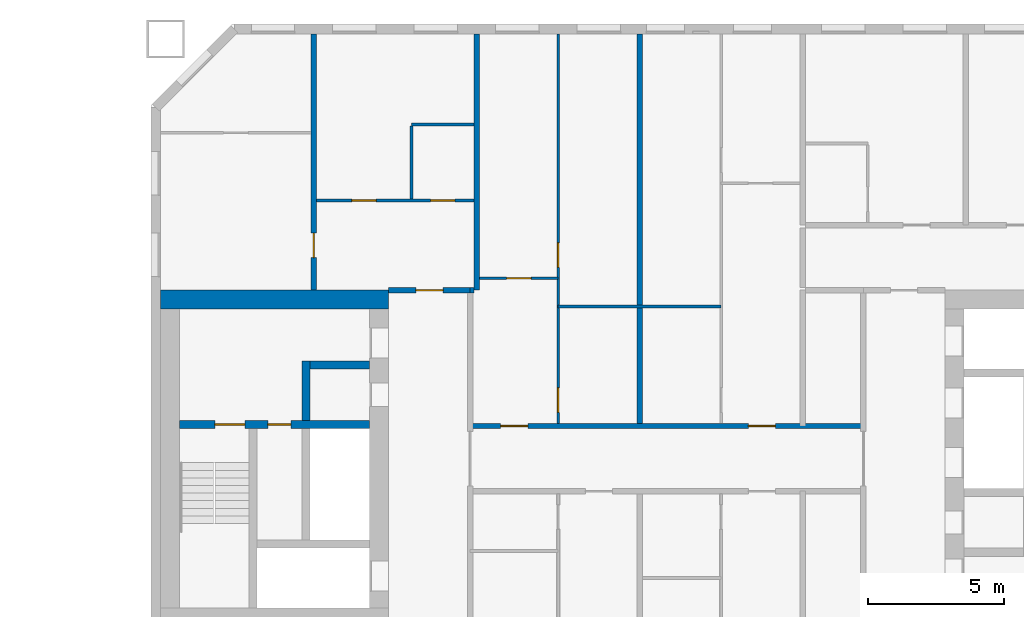
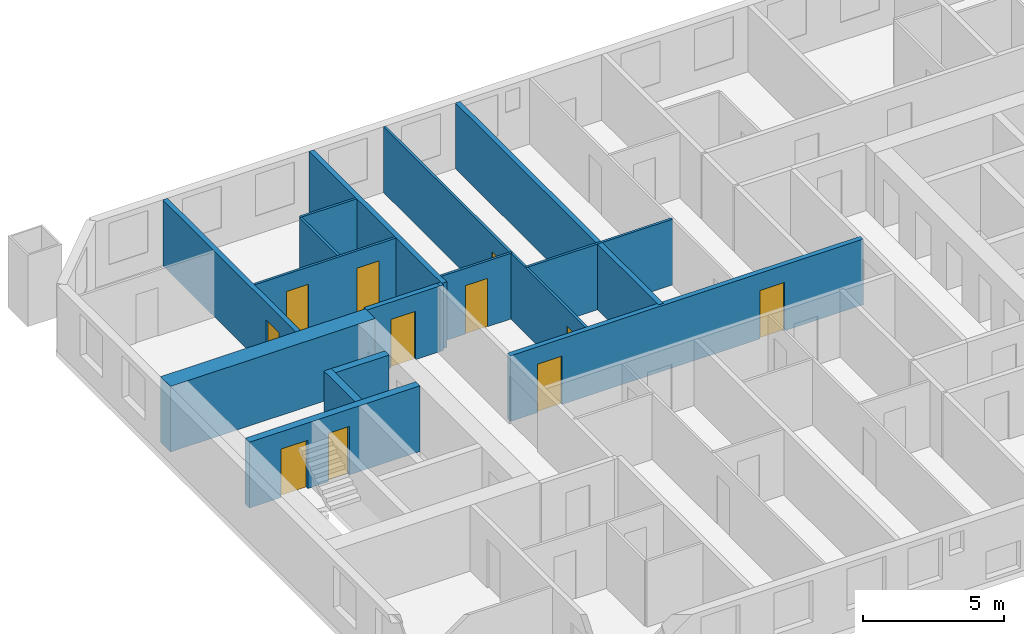
# One storey, part 10 of 16: 16 walls, 11 doors, 11 openings.
"""IFC4 building model written with IfcOpenShell, lengths in metres."""

from ifc_helpers import new_model, si_unit, direction, frame, frame_2d, origin, place, context, subcontext, project, spatial, rectangle, extrude, material, layer, layer_set, type_object, element, fill, save


model = new_model("IFC4")

# Units and contexts
model_context = context("Model", 3, precision=1e-05, world=origin(), true_north=direction((0.0, 1.0)))
body_context = subcontext(model_context, "Body", "Model", "MODEL_VIEW")
ifc_project = project(units=[si_unit("LENGTHUNIT", "METRE"), si_unit("AREAUNIT", "SQUARE_METRE"), si_unit("VOLUMEUNIT", "CUBIC_METRE"), si_unit("PLANEANGLEUNIT", "RADIAN"), si_unit("MASSUNIT", "GRAM", prefix="KILO")], contexts=[model_context])

# Site, building, storey
site_placement = place(None, origin())
site = spatial("IfcSite", under=ifc_project, at=site_placement, CompositionType="ELEMENT")
building_placement = place(site_placement, origin())
building = spatial("IfcBuilding", under=site, at=building_placement, Name="Tuart Gate Housing", CompositionType="ELEMENT")
storey_placement = place(building_placement, frame((0.0, 0.0, 87.10009765625)))
storey = spatial("IfcBuildingStorey", under=building, at=storey_placement, Name="L24", CompositionType="ELEMENT", Elevation=87.10009765625)

# Wall, openings, doors
ifc_material_1 = material(Name="Concrete C50", Category="concrete")
ifc_layer_1 = layer(ifc_material_1, 0.300048828125)
ifc_layer_set_1 = layer_set([ifc_layer_1], Name="Core wall 300 C50")
wall_type_1 = type_object("IfcWallType", Name="Core wall 300 C50", PredefinedType="SHEAR", material=ifc_layer_set_1)
wall_1_placement = place(storey_placement, frame((139.06005859375, 71.25, 0.0), z_axis=(0.0, 0.0, 1.0), x_axis=(-1.0, 0.0, 0.0)))
wall_1 = element("IfcWall", 1, at=wall_1_placement, inside=storey, type_object=wall_type_1, Name="Core wall BG.2", PredefinedType="SHEAR", context=body_context, shape_type="SweptSolid", body=[
    extrude(rectangle(XDim=7.0, YDim=0.300048828125, at=frame_2d((3.5, 0.0))), origin(), (0.0, 0.0, 1.0), 2.849853515625),
])
opening_1_placement = place(wall_1_placement, frame((4.60009765625, 0.0, 0.0)))
opening_1 = element("IfcOpeningElement", 2, at=opening_1_placement, cuts=wall_1, Name="Opening D1032", PredefinedType="OPENING", context=body_context, shape_type="SweptSolid", body=[
    extrude(rectangle(XDim=1.10009765625, YDim=2.10009765625, at=frame_2d((0.550048828125, 1.050048828125))), frame((0.0, 0.159912109375, 0.0), z_axis=(0.0, -1.0, 0.0), x_axis=(1.0, 0.0, 0.0)), (0.0, 0.0, 1.0), 0.320068359375),
])
opening_2_placement = place(wall_1_placement, frame((2.89990234375, 0.0, 0.0)))
opening_2 = element("IfcOpeningElement", 3, at=opening_2_placement, cuts=wall_1, Name="Opening D1031", PredefinedType="OPENING", context=body_context, shape_type="SweptSolid", body=[
    extrude(rectangle(XDim=0.85009765625, YDim=2.10009765625, at=frame_2d((0.425048828125, 1.050048828125))), frame((0.0, 0.159912109375, 0.0), z_axis=(0.0, -1.0, 0.0), x_axis=(1.0, 0.0, 0.0)), (0.0, 0.0, 1.0), 0.320068359375),
])
ifc_material_2 = material(Name="Steel fire door", Category="steel")
door_type_1 = type_object("IfcDoorType", Name="Riser door 850 x 2100", OperationType="SINGLE_SWING_LEFT", PredefinedType="DOOR", material=ifc_material_2)
door_1_placement = place(opening_2_placement, origin())
door_1 = element("IfcDoor", 4, at=door_1_placement, inside=storey, type_object=door_type_1, Name="Service room door BG.W1", OperationType="SINGLE_SWING_LEFT", OverallHeight=2.10009765625, OverallWidth=0.85009765625, PredefinedType="DOOR", context=body_context, shape_type="SweptSolid", body=[
    extrude(rectangle(XDim=0.85009765625, YDim=2.10009765625, at=frame_2d((0.425048828125, 1.050048828125))), frame((0.0, 0.02490234375, 0.0), z_axis=(0.0, -1.0, 0.0), x_axis=(1.0, 0.0, 0.0)), (0.0, 0.0, 1.0), 0.050048828125),
])
fill(opening_2, door_1)
ifc_material_3 = material(Name="Steel fire door", Category="steel")
door_type_2 = type_object("IfcDoorType", Name="Stair door 1100 x 2100", OperationType="SINGLE_SWING_LEFT", PredefinedType="DOOR", material=ifc_material_3)
door_2_placement = place(opening_1_placement, origin())
door_2 = element("IfcDoor", 5, at=door_2_placement, inside=storey, type_object=door_type_2, Name="Stair door BG.SD", OperationType="SINGLE_SWING_LEFT", OverallHeight=2.10009765625, OverallWidth=1.10009765625, PredefinedType="DOOR", context=body_context, shape_type="SweptSolid", body=[
    extrude(rectangle(XDim=1.10009765625, YDim=2.10009765625, at=frame_2d((0.550048828125, 1.050048828125))), frame((0.0, 0.02490234375, 0.0), z_axis=(0.0, -1.0, 0.0), x_axis=(1.0, 0.0, 0.0)), (0.0, 0.0, 1.0), 0.050048828125),
])
fill(opening_1, door_2)

# Walls
wall_2_placement = place(storey_placement, frame((139.06005859375, 73.449951171875, 0.0), z_axis=(0.0, 0.0, 1.0), x_axis=(-1.0, 0.0, 0.0)))
element("IfcWall", 6, at=wall_2_placement, inside=storey, type_object=wall_type_1, Name="Core wall BG.3", PredefinedType="SHEAR", context=body_context, shape_type="SweptSolid", body=[
    extrude(rectangle(XDim=2.199951171875, YDim=0.300048828125, at=frame_2d((1.10009765625, 0.0))), origin(), (0.0, 0.0, 1.0), 2.849853515625),
])
wall_3_placement = place(storey_placement, frame((136.7099609375, 71.39990234375, 0.0), z_axis=(0.0, 0.0, 1.0), x_axis=(0.0, 1.0, 0.0)))
element("IfcWall", 7, at=wall_3_placement, inside=storey, type_object=wall_type_1, Name="Core wall BG.5", PredefinedType="SHEAR", context=body_context, shape_type="SweptSolid", body=[
    extrude(rectangle(XDim=2.2001953125, YDim=0.300048828125, at=frame_2d((1.10009765625, 0.0))), origin(), (0.0, 0.0, 1.0), 2.849853515625),
])
ifc_material_4 = material(Name="Concrete C50", Category="concrete")
ifc_layer_2 = layer(ifc_material_4, 0.699951171875)
ifc_layer_set_2 = layer_set([ifc_layer_2], Name="Core wall 700 C50")
wall_type_2 = type_object("IfcWallType", Name="Core wall 700 C50", PredefinedType="SHEAR", material=ifc_layer_set_2)
wall_4_placement = place(storey_placement, frame((139.760009765625, 75.85009765625, 0.0), z_axis=(0.0, 0.0, 1.0), x_axis=(-1.0, 0.0, 0.0)))
element("IfcWall", 8, at=wall_4_placement, inside=storey, type_object=wall_type_2, Name="Core wall BG north", PredefinedType="SHEAR", context=body_context, shape_type="SweptSolid", body=[
    extrude(rectangle(XDim=8.39990234375, YDim=0.699951171875, at=frame_2d((4.199951171875, 0.0))), origin(), (0.0, 0.0, 1.0), 2.849853515625),
])

# Wall, openings, doors
ifc_material_5 = material(Name="Concrete masonry 15 MPa", Category="masonry")
ifc_layer_3 = layer(ifc_material_5, 0.199951171875)
ifc_layer_set_3 = layer_set([ifc_layer_3], Name="Corridor wall masonry 200")
wall_type_3 = type_object("IfcWallType", Name="Corridor wall masonry 200", PredefinedType="PARTITIONING", material=ifc_layer_set_3)
wall_5_placement = place(storey_placement, frame((142.760009765625, 71.199951171875, 0.0), z_axis=(0.0, 0.0, 1.0), x_axis=(1.0, 0.0, 0.0)))
wall_5 = element("IfcWall", 9, at=wall_5_placement, inside=storey, type_object=wall_type_3, Name="Corridor wall masonry 200", PredefinedType="PARTITIONING", context=body_context, shape_type="SweptSolid", body=[
    extrude(rectangle(XDim=14.47998046875, YDim=0.199951171875, at=frame_2d((7.239990234375, 0.0))), origin(), (0.0, 0.0, 1.0), 2.849853515625),
])
opening_3_placement = place(wall_5_placement, frame((1.1201171875, 0.0, 0.0)))
opening_3 = element("IfcOpeningElement", 10, at=opening_3_placement, cuts=wall_5, Name="Opening D1033", PredefinedType="OPENING", context=body_context, shape_type="SweptSolid", body=[
    extrude(rectangle(XDim=1.0, YDim=2.10009765625, at=frame_2d((0.5, 1.050048828125))), frame((0.0, 0.10986328125, 0.0), z_axis=(0.0, -1.0, 0.0), x_axis=(1.0, 0.0, 0.0)), (0.0, 0.0, 1.0), 0.219970703125),
])
opening_4_placement = place(wall_5_placement, frame((10.239990234375, 0.0, 0.0)))
opening_4 = element("IfcOpeningElement", 11, at=opening_4_placement, cuts=wall_5, Name="Opening D1034", PredefinedType="OPENING", context=body_context, shape_type="SweptSolid", body=[
    extrude(rectangle(XDim=1.0, YDim=2.10009765625, at=frame_2d((0.5, 1.050048828125))), frame((0.0, 0.10986328125, 0.0), z_axis=(0.0, -1.0, 0.0), x_axis=(1.0, 0.0, 0.0)), (0.0, 0.0, 1.0), 0.219970703125),
])
ifc_material_6 = material(Name="Timber door leaf in steel frame", Category="steel")
door_type_3 = type_object("IfcDoorType", Name="Flat entrance door 1000", OperationType="SINGLE_SWING_LEFT", PredefinedType="DOOR", material=ifc_material_6)
door_3_placement = place(opening_3_placement, origin())
door_3 = element("IfcDoor", 12, at=door_3_placement, inside=storey, type_object=door_type_3, Name="Flat entrance door", OperationType="SINGLE_SWING_LEFT", OverallHeight=2.10009765625, OverallWidth=1.0, PredefinedType="DOOR", context=body_context, shape_type="SweptSolid", body=[
    extrude(rectangle(XDim=1.0, YDim=2.10009765625, at=frame_2d((0.5, 1.050048828125))), frame((0.0, 0.02490234375, 0.0), z_axis=(0.0, -1.0, 0.0), x_axis=(1.0, 0.0, 0.0)), (0.0, 0.0, 1.0), 0.050048828125),
])
fill(opening_3, door_3)
door_4_placement = place(opening_4_placement, origin())
door_4 = element("IfcDoor", 13, at=door_4_placement, inside=storey, type_object=door_type_3, Name="Flat entrance door", OperationType="SINGLE_SWING_LEFT", OverallHeight=2.10009765625, OverallWidth=1.0, PredefinedType="DOOR", context=body_context, shape_type="SweptSolid", body=[
    extrude(rectangle(XDim=1.0, YDim=2.10009765625, at=frame_2d((0.5, 1.050048828125))), frame((0.0, 0.02490234375, 0.0), z_axis=(0.0, -1.0, 0.0), x_axis=(1.0, 0.0, 0.0)), (0.0, 0.0, 1.0), 0.050048828125),
])
fill(opening_4, door_4)

# Wall, opening, door
ifc_material_7 = material(Name="Concrete masonry 15 MPa", Category="masonry")
ifc_layer_4 = layer(ifc_material_7, 0.199951171875)
ifc_layer_set_4 = layer_set([ifc_layer_4], Name="Enclosure wall masonry 200")
wall_type_4 = type_object("IfcWallType", Name="Enclosure wall masonry 200", PredefinedType="PARTITIONING", material=ifc_layer_set_4)
wall_6_placement = place(storey_placement, frame((139.760009765625, 76.199951171875, 0.0), z_axis=(0.0, 0.0, 1.0), x_axis=(1.0, 0.0, 0.0)))
wall_6 = element("IfcWall", 14, at=wall_6_placement, inside=storey, type_object=wall_type_4, Name="Enclosure wall masonry 200", PredefinedType="PARTITIONING", context=body_context, shape_type="SweptSolid", body=[
    extrude(rectangle(XDim=3.0, YDim=0.199951171875, at=frame_2d((1.5, 0.0))), origin(), (0.0, 0.0, 1.0), 2.849853515625),
])
opening_5_placement = place(wall_6_placement, frame((1.0, 0.0, 0.0)))
opening_5 = element("IfcOpeningElement", 15, at=opening_5_placement, cuts=wall_6, Name="Opening D1029", PredefinedType="OPENING", context=body_context, shape_type="SweptSolid", body=[
    extrude(rectangle(XDim=1.0, YDim=2.10009765625, at=frame_2d((0.5, 1.050048828125))), frame((0.0, 0.10986328125, 0.0), z_axis=(0.0, -1.0, 0.0), x_axis=(1.0, 0.0, 0.0)), (0.0, 0.0, 1.0), 0.219970703125),
])
ifc_material_8 = material(Name="Timber door leaf in steel frame", Category="steel")
door_type_4 = type_object("IfcDoorType", Name="Flat entrance door 1000 RH", OperationType="SINGLE_SWING_RIGHT", PredefinedType="DOOR", material=ifc_material_8)
door_5_placement = place(opening_5_placement, origin())
door_5 = element("IfcDoor", 16, at=door_5_placement, inside=storey, type_object=door_type_4, Name="Flat entrance door", OperationType="SINGLE_SWING_RIGHT", OverallHeight=2.10009765625, OverallWidth=1.0, PredefinedType="DOOR", context=body_context, shape_type="SweptSolid", body=[
    extrude(rectangle(XDim=1.0, YDim=2.10009765625, at=frame_2d((0.5, 1.050048828125))), frame((0.0, 0.02490234375, 0.0), z_axis=(0.0, -1.0, 0.0), x_axis=(1.0, 0.0, 0.0)), (0.0, 0.0, 1.0), 0.050048828125),
])
fill(opening_5, door_5)

# Wall
ifc_material_9 = material(Name="Gypsum board on steel studs", Category="steel")
ifc_layer_5 = layer(ifc_material_9, 0.10009765625)
ifc_layer_set_5 = layer_set([ifc_layer_5], Name="Partition 100")
wall_type_5 = type_object("IfcWallType", Name="Partition 100", PredefinedType="PARTITIONING", material=ifc_layer_set_5)
wall_7_placement = place(storey_placement, frame((146.0, 75.60009765625, 0.0), z_axis=(0.0, 0.0, 1.0), x_axis=(1.0, 0.0, 0.0)))
element("IfcWall", 17, at=wall_7_placement, inside=storey, type_object=wall_type_5, Name="Partition 100", PredefinedType="PARTITIONING", context=body_context, shape_type="SweptSolid", body=[
    extrude(rectangle(XDim=6.0, YDim=0.10009765625, at=frame_2d((3.0, 0.0))), origin(), (0.0, 0.0, 1.0), 2.849853515625),
])

# Wall, opening, door
wall_8_placement = place(storey_placement, frame((143.10009765625, 76.639892578125, 0.0), z_axis=(0.0, 0.0, 1.0), x_axis=(1.0, 0.0, 0.0)))
wall_8 = element("IfcWall", 18, at=wall_8_placement, inside=storey, type_object=wall_type_5, Name="Partition 100", PredefinedType="PARTITIONING", context=body_context, shape_type="SweptSolid", body=[
    extrude(rectangle(XDim=2.89990234375, YDim=0.10009765625, at=frame_2d((1.449951171875, 0.0))), origin(), (0.0, 0.0, 1.0), 2.849853515625),
])
opening_6_placement = place(wall_8_placement, frame((1.0, 0.0, 0.0)))
opening_6 = element("IfcOpeningElement", 19, at=opening_6_placement, cuts=wall_8, Name="Opening D1028", PredefinedType="OPENING", context=body_context, shape_type="SweptSolid", body=[
    extrude(rectangle(XDim=0.89990234375, YDim=2.10009765625, at=frame_2d((0.449951171875, 1.050048828125))), frame((0.0, 0.06005859375, 0.0), z_axis=(0.0, -1.0, 0.0), x_axis=(1.0, 0.0, 0.0)), (0.0, 0.0, 1.0), 0.1201171875),
])
ifc_material_10 = material(Name="Timber door leaf in steel frame", Category="steel")
door_type_5 = type_object("IfcDoorType", Name="Internal door 900", OperationType="SINGLE_SWING_LEFT", PredefinedType="DOOR", material=ifc_material_10)
door_6_placement = place(opening_6_placement, frame((0.89990234375, 0.0, 0.0), z_axis=(0.0, 0.0, 1.0), x_axis=(-1.0, 0.0, 0.0)))
door_6 = element("IfcDoor", 20, at=door_6_placement, inside=storey, type_object=door_type_5, Name="Internal door", OperationType="SINGLE_SWING_LEFT", OverallHeight=2.10009765625, OverallWidth=0.89990234375, PredefinedType="DOOR", context=body_context, shape_type="SweptSolid", body=[
    extrude(rectangle(XDim=0.89990234375, YDim=2.10009765625, at=frame_2d((0.449951171875, 1.050048828125))), frame((0.0, 0.025146484375, 0.0), z_axis=(0.0, -1.0, 0.0), x_axis=(1.0, 0.0, 0.0)), (0.0, 0.0, 1.0), 0.050048828125),
])
fill(opening_6, door_6)

# Wall, openings, doors
wall_9_placement = place(storey_placement, frame((137.10009765625, 79.5, 0.0), z_axis=(0.0, 0.0, 1.0), x_axis=(1.0, 0.0, 0.0)))
wall_9 = element("IfcWall", 21, at=wall_9_placement, inside=storey, type_object=wall_type_5, Name="Partition 100", PredefinedType="PARTITIONING", context=body_context, shape_type="SweptSolid", body=[
    extrude(rectangle(XDim=5.7998046875, YDim=0.10009765625, at=frame_2d((2.89990234375, 0.0))), origin(), (0.0, 0.0, 1.0), 2.849853515625),
])
opening_7_placement = place(wall_9_placement, frame((1.300048828125, 0.0, 0.0)))
opening_7 = element("IfcOpeningElement", 22, at=opening_7_placement, cuts=wall_9, Name="Opening D1020", PredefinedType="OPENING", context=body_context, shape_type="SweptSolid", body=[
    extrude(rectangle(XDim=0.89990234375, YDim=2.10009765625, at=frame_2d((0.449951171875, 1.050048828125))), frame((0.0, 0.06005859375, 0.0), z_axis=(0.0, -1.0, 0.0), x_axis=(1.0, 0.0, 0.0)), (0.0, 0.0, 1.0), 0.1201171875),
])
opening_8_placement = place(wall_9_placement, frame((4.199951171875, 0.0, 0.0)))
opening_8 = element("IfcOpeningElement", 23, at=opening_8_placement, cuts=wall_9, Name="Opening D1019", PredefinedType="OPENING", context=body_context, shape_type="SweptSolid", body=[
    extrude(rectangle(XDim=0.89990234375, YDim=2.10009765625, at=frame_2d((0.449951171875, 1.050048828125))), frame((0.0, 0.06005859375, 0.0), z_axis=(0.0, -1.0, 0.0), x_axis=(1.0, 0.0, 0.0)), (0.0, 0.0, 1.0), 0.1201171875),
])
ifc_material_11 = material(Name="Timber door leaf in steel frame", Category="steel")
door_type_6 = type_object("IfcDoorType", Name="Bathroom door 900", OperationType="SINGLE_SWING_LEFT", PredefinedType="DOOR", material=ifc_material_11)
door_7_placement = place(opening_8_placement, origin())
door_7 = element("IfcDoor", 24, at=door_7_placement, inside=storey, type_object=door_type_6, Name="Bathroom door", OperationType="SINGLE_SWING_LEFT", OverallHeight=2.10009765625, OverallWidth=0.89990234375, PredefinedType="DOOR", context=body_context, shape_type="SweptSolid", body=[
    extrude(rectangle(XDim=0.89990234375, YDim=2.10009765625, at=frame_2d((0.449951171875, 1.050048828125))), frame((0.0, 0.02490234375, 0.0), z_axis=(0.0, -1.0, 0.0), x_axis=(1.0, 0.0, 0.0)), (0.0, 0.0, 1.0), 0.050048828125),
])
fill(opening_8, door_7)
ifc_material_12 = material(Name="Timber door leaf in steel frame", Category="steel")
door_type_7 = type_object("IfcDoorType", Name="Internal door 900 RH", OperationType="SINGLE_SWING_RIGHT", PredefinedType="DOOR", material=ifc_material_12)
door_8_placement = place(opening_7_placement, origin())
door_8 = element("IfcDoor", 25, at=door_8_placement, inside=storey, type_object=door_type_7, Name="Internal door", OperationType="SINGLE_SWING_RIGHT", OverallHeight=2.10009765625, OverallWidth=0.89990234375, PredefinedType="DOOR", context=body_context, shape_type="SweptSolid", body=[
    extrude(rectangle(XDim=0.89990234375, YDim=2.10009765625, at=frame_2d((0.449951171875, 1.050048828125))), frame((0.0, 0.02490234375, 0.0), z_axis=(0.0, -1.0, 0.0), x_axis=(1.0, 0.0, 0.0)), (0.0, 0.0, 1.0), 0.050048828125),
])
fill(opening_7, door_8)

# Walls
wall_10_placement = place(storey_placement, frame((140.60009765625, 82.300048828125, 0.0), z_axis=(0.0, 0.0, 1.0), x_axis=(1.0, 0.0, 0.0)))
element("IfcWall", 26, at=wall_10_placement, inside=storey, type_object=wall_type_5, Name="Partition 100", PredefinedType="PARTITIONING", context=body_context, shape_type="SweptSolid", body=[
    extrude(rectangle(XDim=2.2998046875, YDim=0.10009765625, at=frame_2d((1.14990234375, 0.0))), origin(), (0.0, 0.0, 1.0), 2.849853515625),
])
wall_11_placement = place(storey_placement, frame((140.60009765625, 79.550048828125, 0.0), z_axis=(0.0, 0.0, 1.0), x_axis=(0.0, 1.0, 0.0)))
element("IfcWall", 27, at=wall_11_placement, inside=storey, type_object=wall_type_5, Name="Partition 100", PredefinedType="PARTITIONING", context=body_context, shape_type="SweptSolid", body=[
    extrude(rectangle(XDim=2.699951171875, YDim=0.10009765625, at=frame_2d((1.35009765625, 0.0))), origin(), (0.0, 0.0, 1.0), 2.849853515625),
])

# Wall, openings, doors
wall_12_placement = place(storey_placement, frame((146.0, 71.300048828125, 0.0), z_axis=(0.0, 0.0, 1.0), x_axis=(0.0, 1.0, 0.0)))
wall_12 = element("IfcWall", 28, at=wall_12_placement, inside=storey, type_object=wall_type_5, Name="Partition 100", PredefinedType="PARTITIONING", context=body_context, shape_type="SweptSolid", body=[
    extrude(rectangle(XDim=14.33984375, YDim=0.10009765625, at=frame_2d((7.169921875, 0.0))), origin(), (0.0, 0.0, 1.0), 2.849853515625),
])
opening_9_placement = place(wall_12_placement, frame((5.739990234375, 0.0, 0.0)))
opening_9 = element("IfcOpeningElement", 29, at=opening_9_placement, cuts=wall_12, Name="Opening D1025", PredefinedType="OPENING", context=body_context, shape_type="SweptSolid", body=[
    extrude(rectangle(XDim=0.89990234375, YDim=2.10009765625, at=frame_2d((0.449951171875, 1.050048828125))), frame((0.0, 0.06005859375, 0.0), z_axis=(0.0, -1.0, 0.0), x_axis=(1.0, 0.0, 0.0)), (0.0, 0.0, 1.0), 0.1201171875),
])
opening_10_placement = place(wall_12_placement, frame((0.39990234375, 0.0, 0.0)))
opening_10 = element("IfcOpeningElement", 30, at=opening_10_placement, cuts=wall_12, Name="Opening D1024", PredefinedType="OPENING", context=body_context, shape_type="SweptSolid", body=[
    extrude(rectangle(XDim=0.89990234375, YDim=2.10009765625, at=frame_2d((0.449951171875, 1.050048828125))), frame((0.0, 0.06005859375, 0.0), z_axis=(0.0, -1.0, 0.0), x_axis=(1.0, 0.0, 0.0)), (0.0, 0.0, 1.0), 0.1201171875),
])
ifc_material_13 = material(Name="Timber door leaf in steel frame", Category="steel")
door_type_8 = type_object("IfcDoorType", Name="Bathroom door 900 RH", OperationType="SINGLE_SWING_RIGHT", PredefinedType="DOOR", material=ifc_material_13)
door_9_placement = place(opening_10_placement, frame((0.89990234375, 0.0, 0.0), z_axis=(0.0, 0.0, 1.0), x_axis=(-1.0, 0.0, 0.0)))
door_9 = element("IfcDoor", 31, at=door_9_placement, inside=storey, type_object=door_type_8, Name="Bathroom door", OperationType="SINGLE_SWING_RIGHT", OverallHeight=2.10009765625, OverallWidth=0.89990234375, PredefinedType="DOOR", context=body_context, shape_type="SweptSolid", body=[
    extrude(rectangle(XDim=0.89990234375, YDim=2.10009765625, at=frame_2d((0.449951171875, 1.050048828125))), frame((0.0, 0.025146484375, 0.0), z_axis=(0.0, -1.0, 0.0), x_axis=(1.0, 0.0, 0.0)), (0.0, 0.0, 1.0), 0.050048828125),
])
fill(opening_10, door_9)
door_10_placement = place(opening_9_placement, frame((0.89990234375, 0.0, 0.0), z_axis=(0.0, 0.0, 1.0), x_axis=(-1.0, 0.0, 0.0)))
door_10 = element("IfcDoor", 32, at=door_10_placement, inside=storey, type_object=door_type_7, Name="Internal door", OperationType="SINGLE_SWING_RIGHT", OverallHeight=2.10009765625, OverallWidth=0.89990234375, PredefinedType="DOOR", context=body_context, shape_type="SweptSolid", body=[
    extrude(rectangle(XDim=0.89990234375, YDim=2.10009765625, at=frame_2d((0.449951171875, 1.050048828125))), frame((0.0, 0.025146484375, 0.0), z_axis=(0.0, -1.0, 0.0), x_axis=(1.0, 0.0, 0.0)), (0.0, 0.0, 1.0), 0.050048828125),
])
fill(opening_9, door_10)

# Wall, opening, door
ifc_material_14 = material(Name="Concrete C40", Category="concrete")
ifc_layer_6 = layer(ifc_material_14, 0.199951171875)
ifc_layer_set_6 = layer_set([ifc_layer_6], Name="Party wall concrete C40 200")
wall_type_6 = type_object("IfcWallType", Name="Party wall concrete C40 200", PredefinedType="SOLIDWALL", material=ifc_layer_set_6)
wall_13_placement = place(storey_placement, frame((137.0, 76.199951171875, 0.0), z_axis=(0.0, 0.0, 1.0), x_axis=(0.0, 1.0, 0.0)))
wall_13 = element("IfcWall", 33, at=wall_13_placement, inside=storey, type_object=wall_type_6, Name="Party wall concrete C40 200", PredefinedType="SOLIDWALL", context=body_context, shape_type="SweptSolid", body=[
    extrude(rectangle(XDim=9.43994140625, YDim=0.199951171875, at=frame_2d((4.719970703125, 0.0))), origin(), (0.0, 0.0, 1.0), 2.849853515625),
])
opening_11_placement = place(wall_13_placement, frame((1.199951171875, 0.0, 0.0)))
opening_11 = element("IfcOpeningElement", 34, at=opening_11_placement, cuts=wall_13, Name="Opening D1014", PredefinedType="OPENING", context=body_context, shape_type="SweptSolid", body=[
    extrude(rectangle(XDim=0.89990234375, YDim=2.10009765625, at=frame_2d((0.449951171875, 1.050048828125))), frame((0.0, 0.10986328125, 0.0), z_axis=(0.0, -1.0, 0.0), x_axis=(1.0, 0.0, 0.0)), (0.0, 0.0, 1.0), 0.219970703125),
])
door_11_placement = place(opening_11_placement, frame((0.89990234375, 0.0, 0.0), z_axis=(0.0, 0.0, 1.0), x_axis=(-1.0, 0.0, 0.0)))
door_11 = element("IfcDoor", 35, at=door_11_placement, inside=storey, type_object=door_type_7, Name="Internal door", OperationType="SINGLE_SWING_RIGHT", OverallHeight=2.10009765625, OverallWidth=0.89990234375, PredefinedType="DOOR", context=body_context, shape_type="SweptSolid", body=[
    extrude(rectangle(XDim=0.89990234375, YDim=2.10009765625, at=frame_2d((0.449951171875, 1.050048828125))), frame((0.0, 0.025146484375, 0.0), z_axis=(0.0, -1.0, 0.0), x_axis=(1.0, 0.0, 0.0)), (0.0, 0.0, 1.0), 0.050048828125),
])
fill(opening_11, door_11)

# Walls
wall_14_placement = place(storey_placement, frame((143.0, 76.199951171875, 0.0), z_axis=(0.0, 0.0, 1.0), x_axis=(0.0, 1.0, 0.0)))
element("IfcWall", 36, at=wall_14_placement, inside=storey, type_object=wall_type_6, Name="Party wall concrete C40 200", PredefinedType="SOLIDWALL", context=body_context, shape_type="SweptSolid", body=[
    extrude(rectangle(XDim=9.43994140625, YDim=0.199951171875, at=frame_2d((4.719970703125, 0.0))), origin(), (0.0, 0.0, 1.0), 2.849853515625),
])
wall_15_placement = place(storey_placement, frame((149.0, 71.199951171875, 0.0), z_axis=(0.0, 0.0, 1.0), x_axis=(0.0, 1.0, 0.0)))
element("IfcWall", 37, at=wall_15_placement, inside=storey, type_object=wall_type_6, Name="Party wall concrete C40 200", PredefinedType="SOLIDWALL", context=body_context, shape_type="SweptSolid", body=[
    extrude(rectangle(XDim=14.43994140625, YDim=0.199951171875, at=frame_2d((7.219970703125, 0.0))), origin(), (0.0, 0.0, 1.0), 2.849853515625),
])
ifc_material_15 = material(Name="Concrete masonry 15 MPa", Category="masonry")
ifc_layer_7 = layer(ifc_material_15, 0.199951171875)
ifc_layer_set_7 = layer_set([ifc_layer_7], Name="Party wall masonry 200")
wall_type_7 = type_object("IfcWallType", Name="Party wall masonry 200", PredefinedType="PARTITIONING", material=ifc_layer_set_7)
wall_16_placement = place(storey_placement, frame((142.760009765625, 76.199951171875, 0.0), z_axis=(0.0, 0.0, 1.0), x_axis=(1.0, 0.0, 0.0)))
element("IfcWall", 38, at=wall_16_placement, inside=storey, type_object=wall_type_7, Name="Party wall masonry 200", PredefinedType="PARTITIONING", context=body_context, shape_type="SweptSolid", body=[
    extrude(rectangle(XDim=0.139892578125, YDim=0.199951171875, at=frame_2d((0.06982421875, 0.0))), origin(), (0.0, 0.0, 1.0), 2.849853515625),
])

save(model, "model.ifc")
